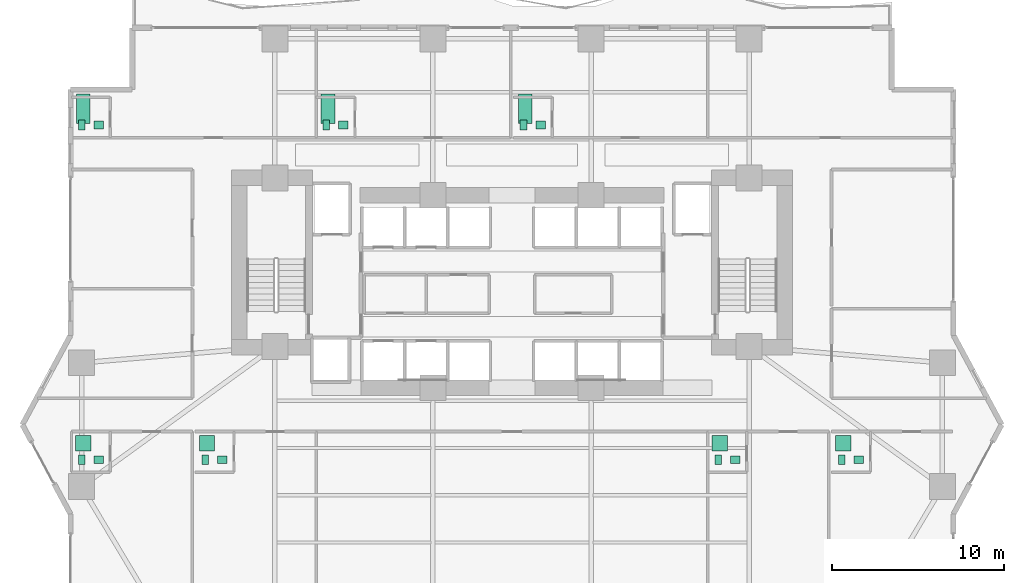
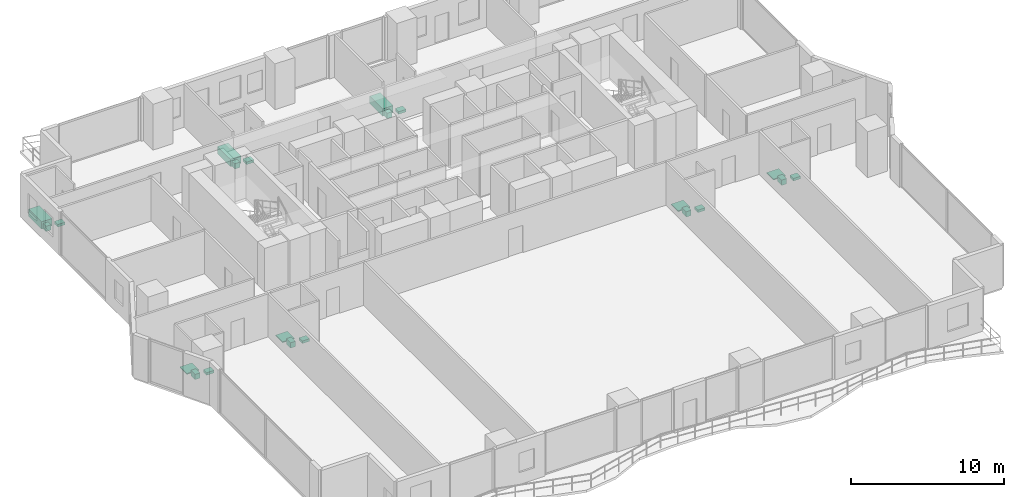
# One storey, part 28 of 28: 21 sanitary terminals.
"""IFC4 building model written with IfcOpenShell, lengths in metres."""

from ifc_helpers import new_model, si_unit, direction, frame, origin, origin_2d, place, context, subcontext, project, spatial, rectangle, extrude, material, type_object, element, save


model = new_model("IFC4")

# Units and contexts
model_context = context("Model", 3, precision=1e-05, world=origin(), true_north=direction((0.0, 1.0)))
body_context = subcontext(model_context, "Body", "Model", "MODEL_VIEW")
ifc_project = project(units=[si_unit("LENGTHUNIT", "METRE"), si_unit("AREAUNIT", "SQUARE_METRE"), si_unit("VOLUMEUNIT", "CUBIC_METRE"), si_unit("PLANEANGLEUNIT", "RADIAN"), si_unit("MASSUNIT", "GRAM", prefix="KILO")], contexts=[model_context])

# Site, building, storey
site_placement = place(None, origin())
site = spatial("IfcSite", under=ifc_project, at=site_placement, CompositionType="ELEMENT")
building_placement = place(site_placement, origin())
building = spatial("IfcBuilding", under=site, at=building_placement, Name="Zuhayl Quay Hotel", CompositionType="ELEMENT")
storey_placement = place(building_placement, frame((0.0, 0.0, 78.699951171875)))
storey = spatial("IfcBuildingStorey", under=building, at=storey_placement, Name="L19", CompositionType="ELEMENT", Elevation=78.699951171875)

# Sanitary terminals
ifc_material = material(Name="Vitreous Porcelain Sanitaryware")
sanitary_terminal_type_1 = type_object("IfcSanitaryTerminalType", Name="SAN_BASIN", PredefinedType="WASHHANDBASIN", material=ifc_material)
for number, where, z_axis, x_axis, name in (
    (1, (-24.050048828125, 17.43994140625, 0.0), (0.0, 0.0, 1.0), (1.0, 0.0, 0.0), "L19 Sanitary Fixture WASHHANDBASIN"),
    (2, (-9.81005859375, 17.43994140625, 0.0), (0.0, 0.0, 1.0), (1.0, 0.0, 0.0), "L19 Sanitary Fixture WASHHANDBASIN"),
    (3, (1.669921875, 17.43994140625, 0.0), (0.0, 0.0, 1.0), (1.0, 0.0, 0.0), "L19 Sanitary Fixture WASHHANDBASIN"),
    (4, (-24.050048828125, -2.0400390625, 0.0), (0.0, 0.0, 1.0), (1.0, 0.0, 0.0), "L19 Sanitary Fixture WASHHANDBASIN"),
    (5, (-16.85009765625, -2.0400390625, 0.0), (0.0, 0.0, 1.0), (1.0, 0.0, 0.0), "L19 Sanitary Fixture WASHHANDBASIN"),
    (6, (12.989990234375, -2.0400390625, 0.0), (0.0, 0.0, 1.0), (1.0, 0.0, 0.0), "L19 Sanitary Fixture WASHHANDBASIN"),
    (7, (20.18994140625, -2.0400390625, 0.0), (0.0, 0.0, 1.0), (1.0, 0.0, 0.0), "L19 Sanitary Fixture WASHHANDBASIN"),
):
    element("IfcSanitaryTerminal", number, at=place(storey_placement, frame(where, z_axis=z_axis, x_axis=x_axis)), inside=storey, type_object=sanitary_terminal_type_1, Name=name, PredefinedType="WASHHANDBASIN", context=body_context, shape_type="SweptSolid", body=[
        extrude(rectangle(XDim=0.550048828125, YDim=0.449951171875, at=origin_2d()), origin(), (0.0, 0.0, 1.0), 0.199951171875),
    ])
sanitary_terminal_type_2 = type_object("IfcSanitaryTerminalType", Name="SAN_BATH", PredefinedType="BATH", material=ifc_material)
for number, where, z_axis, x_axis, name in (
    (8, (-24.949951171875, 18.389892578125, 0.0), (0.0, 0.0, 1.0), (1.0, 0.0, 0.0), "L19 Sanitary Fixture BATH"),
    (9, (-10.7099609375, 18.389892578125, 0.0), (0.0, 0.0, 1.0), (1.0, 0.0, 0.0), "L19 Sanitary Fixture BATH"),
    (10, (0.77001953125, 18.389892578125, 0.0), (0.0, 0.0, 1.0), (1.0, 0.0, 0.0), "L19 Sanitary Fixture BATH"),
):
    element("IfcSanitaryTerminal", number, at=place(storey_placement, frame(where, z_axis=z_axis, x_axis=x_axis)), inside=storey, type_object=sanitary_terminal_type_2, Name=name, PredefinedType="BATH", context=body_context, shape_type="SweptSolid", body=[
        extrude(rectangle(XDim=0.800048828125, YDim=1.699951171875, at=origin_2d()), origin(), (0.0, 0.0, 1.0), 0.580078125),
    ])
sanitary_terminal_type_3 = type_object("IfcSanitaryTerminalType", Name="SAN_SHOWER", PredefinedType="SHOWER", material=ifc_material)
for number, where, z_axis, x_axis, name in (
    (11, (-24.949951171875, -1.090087890625, 0.0), (0.0, 0.0, 1.0), (1.0, 0.0, 0.0), "L19 Sanitary Fixture SHOWER"),
    (12, (-17.75, -1.090087890625, 0.0), (0.0, 0.0, 1.0), (1.0, 0.0, 0.0), "L19 Sanitary Fixture SHOWER"),
    (13, (12.090087890625, -1.090087890625, 0.0), (0.0, 0.0, 1.0), (1.0, 0.0, 0.0), "L19 Sanitary Fixture SHOWER"),
    (14, (19.2900390625, -1.090087890625, 0.0), (0.0, 0.0, 1.0), (1.0, 0.0, 0.0), "L19 Sanitary Fixture SHOWER"),
):
    element("IfcSanitaryTerminal", number, at=place(storey_placement, frame(where, z_axis=z_axis, x_axis=x_axis)), inside=storey, type_object=sanitary_terminal_type_3, Name=name, PredefinedType="SHOWER", context=body_context, shape_type="SweptSolid", body=[
        extrude(rectangle(XDim=0.89990234375, YDim=0.89990234375, at=origin_2d()), origin(), (0.0, 0.0, 1.0), 0.080078125),
    ])
sanitary_terminal_type_4 = type_object("IfcSanitaryTerminalType", Name="SAN_WC", PredefinedType="TOILETPAN", material=ifc_material)
for number, where, z_axis, x_axis, name in (
    (15, (-25.050048828125, 17.43994140625, 0.0), (0.0, 0.0, 1.0), (1.0, 0.0, 0.0), "L19 Sanitary Fixture TOILETPAN"),
    (16, (-10.81005859375, 17.43994140625, 0.0), (0.0, 0.0, 1.0), (1.0, 0.0, 0.0), "L19 Sanitary Fixture TOILETPAN"),
    (17, (0.669921875, 17.43994140625, 0.0), (0.0, 0.0, 1.0), (1.0, 0.0, 0.0), "L19 Sanitary Fixture TOILETPAN"),
    (18, (-25.050048828125, -2.0400390625, 0.0), (0.0, 0.0, 1.0), (1.0, 0.0, 0.0), "L19 Sanitary Fixture TOILETPAN"),
    (19, (-17.85009765625, -2.0400390625, 0.0), (0.0, 0.0, 1.0), (1.0, 0.0, 0.0), "L19 Sanitary Fixture TOILETPAN"),
    (20, (11.989990234375, -2.0400390625, 0.0), (0.0, 0.0, 1.0), (1.0, 0.0, 0.0), "L19 Sanitary Fixture TOILETPAN"),
    (21, (19.18994140625, -2.0400390625, 0.0), (0.0, 0.0, 1.0), (1.0, 0.0, 0.0), "L19 Sanitary Fixture TOILETPAN"),
):
    element("IfcSanitaryTerminal", number, at=place(storey_placement, frame(where, z_axis=z_axis, x_axis=x_axis)), inside=storey, type_object=sanitary_terminal_type_4, Name=name, PredefinedType="TOILETPAN", context=body_context, shape_type="SweptSolid", body=[
        extrude(rectangle(XDim=0.3798828125, YDim=0.56005859375, at=origin_2d()), origin(), (0.0, 0.0, 1.0), 0.419921875),
    ])

save(model, "model.ifc")
